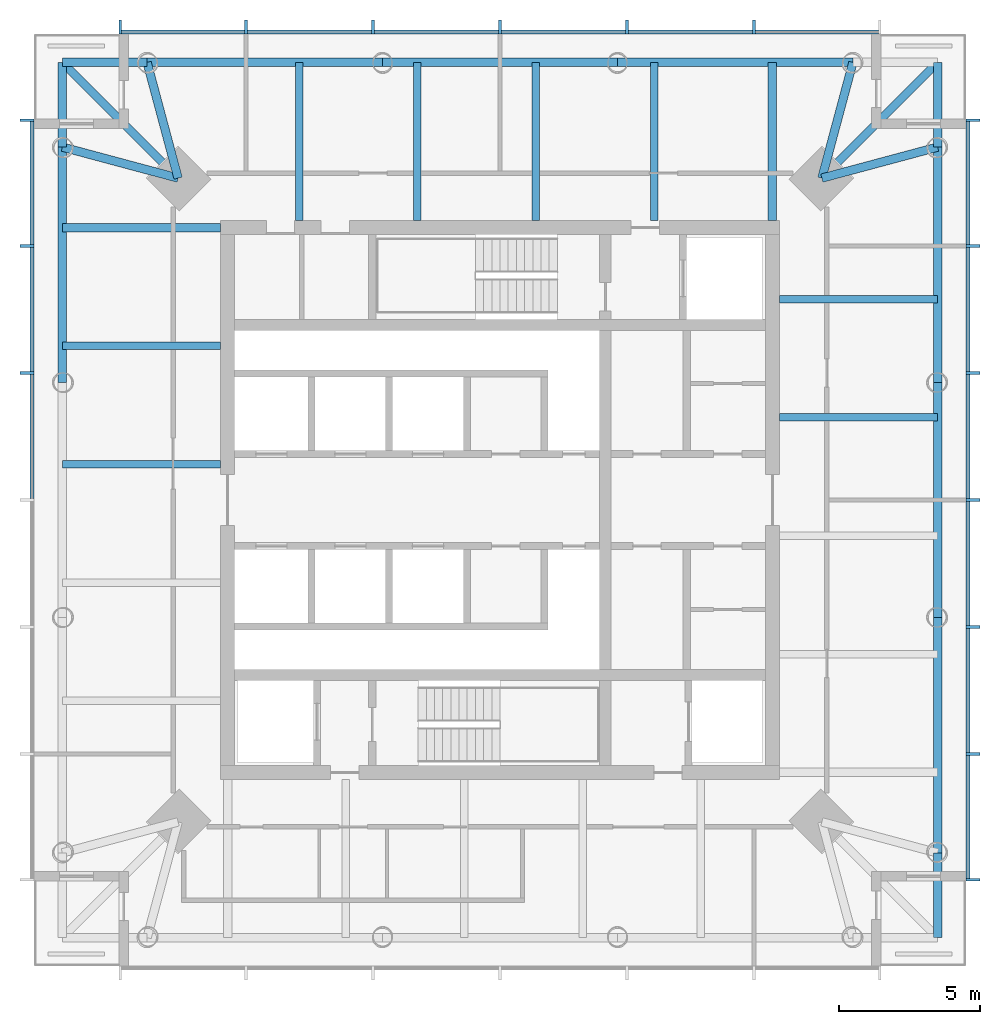
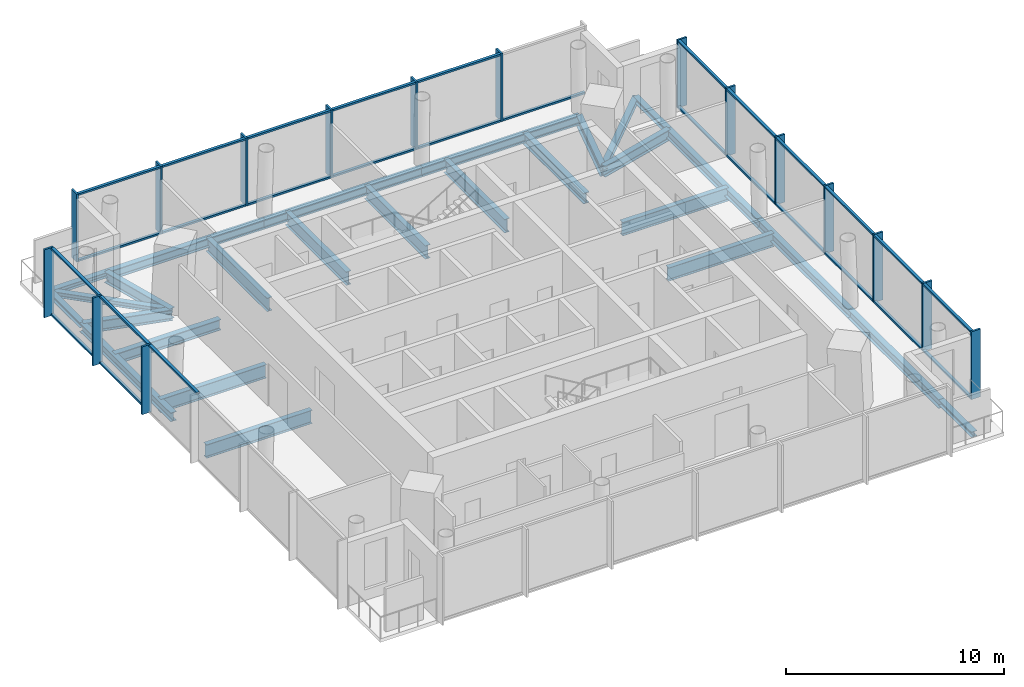
# One storey, part 2 of 7: 44 members, 27 beams, 3 elements without a shape of their own.
"""IFC4 building model written with IfcOpenShell, lengths in metres."""

from ifc_helpers import new_model, si_unit, direction, frame, origin, origin_2d, place, context, subcontext, project, spatial, rectangle, i_section, extrude, material, material_profile, profile_set, type_object, element, aggregate, save


model = new_model("IFC4")

# Units and contexts
model_context = context("Model", 3, precision=1e-05, world=origin(), true_north=direction((0.0, 1.0)))
body_context = subcontext(model_context, "Body", "Model", "MODEL_VIEW")
ifc_project = project(units=[si_unit("LENGTHUNIT", "METRE"), si_unit("AREAUNIT", "SQUARE_METRE"), si_unit("VOLUMEUNIT", "CUBIC_METRE"), si_unit("PLANEANGLEUNIT", "RADIAN"), si_unit("MASSUNIT", "GRAM", prefix="KILO")], contexts=[model_context])

# Site, building, storey
site_placement = place(None, origin())
site = spatial("IfcSite", under=ifc_project, at=site_placement, CompositionType="ELEMENT")
building_placement = place(site_placement, origin())
building = spatial("IfcBuilding", under=site, at=building_placement, Name="Ostroluk Exchange", CompositionType="ELEMENT")
storey_placement = place(building_placement, frame((0.0, 0.0, 287.0)))
storey = spatial("IfcBuildingStorey", under=building, at=storey_placement, Name="L74", CompositionType="ELEMENT", Elevation=287.0)

# Beams
ifc_material_1 = material(Name="Steel S355", Category="steel")
ifc_material_profile_1 = material_profile(ifc_material_1, i_section(OverallWidth=0.300048828125, OverallDepth=0.300048828125, WebThickness=0.010986328125, FlangeThickness=0.01904296875, FilletRadius=0.027099609375, at=origin_2d()), Name="HEB 300")
ifc_profile_set_1 = profile_set([ifc_material_profile_1], Name="Steel S355")
beam_type_1 = type_object("IfcBeamType", Name="Balcony beam HEB 300", PredefinedType="BEAM", material=ifc_profile_set_1)
beam_1_placement = place(storey_placement, frame((60.5, 58.5, -0.35009765625), z_axis=(0.0, 1.0, 0.0), x_axis=(-1.0, 0.0, 0.0)))
element("IfcBeam", 1, at=beam_1_placement, inside=storey, type_object=beam_type_1, Name="T1 east balcony beam a", PredefinedType="BEAM", context=body_context, shape_type="SweptSolid", body=[
    extrude(i_section(OverallWidth=0.300048828125, OverallDepth=0.300048828125, WebThickness=0.010986328125, FlangeThickness=0.01904296875, FilletRadius=0.027099609375, at=origin_2d()), origin(), (0.0, 0.0, 1.0), 3.0),
])
beam_2_placement = place(storey_placement, frame((56.39990234375, 57.39990234375, -0.35009765625), z_axis=(0.707106781187, 0.707106781187, 0.0), x_axis=(-0.707106781187, 0.707106781187, 0.0)))
element("IfcBeam", 2, at=beam_2_placement, inside=storey, type_object=beam_type_1, Name="T1 east balcony beam c", PredefinedType="BEAM", context=body_context, shape_type="SweptSolid", body=[
    extrude(i_section(OverallWidth=0.300048828125, OverallDepth=0.300048828125, WebThickness=0.010986328125, FlangeThickness=0.01904296875, FilletRadius=0.027099609375, at=origin_2d()), origin(), (0.0, 0.0, 1.0), 5.79833984375),
])
for number, where, z_axis, x_axis, name in (
    (3, (32.5, 61.5, -0.35009765625), (-1.0, 0.0, 0.0), (0.0, -1.0, 0.0), "T1 north balcony beam a"),
    (4, (29.5, 58.5, -0.35009765625), (0.0, 1.0, 0.0), (-1.0, 0.0, 0.0), "T1 north balcony beam b"),
):
    element("IfcBeam", number, at=place(storey_placement, frame(where, z_axis=z_axis, x_axis=x_axis)), inside=storey, type_object=beam_type_1, Name=name, PredefinedType="BEAM", context=body_context, shape_type="SweptSolid", body=[
        extrude(i_section(OverallWidth=0.300048828125, OverallDepth=0.300048828125, WebThickness=0.010986328125, FlangeThickness=0.01904296875, FilletRadius=0.027099609375, at=origin_2d()), origin(), (0.0, 0.0, 1.0), 3.0),
    ])
beam_3_placement = place(storey_placement, frame((33.60009765625, 57.39990234375, -0.35009765625), z_axis=(-0.707106781187, 0.707106781187, 0.0), x_axis=(-0.707106781187, -0.707106781187, 0.0)))
element("IfcBeam", 5, at=beam_3_placement, inside=storey, type_object=beam_type_1, Name="T1 north balcony beam c", PredefinedType="BEAM", context=body_context, shape_type="SweptSolid", body=[
    extrude(i_section(OverallWidth=0.300048828125, OverallDepth=0.300048828125, WebThickness=0.010986328125, FlangeThickness=0.01904296875, FilletRadius=0.027099609375, at=origin_2d()), origin(), (0.0, 0.0, 1.0), 5.79833984375),
])
beam_4_placement = place(storey_placement, frame((60.5, 33.5, -0.35009765625), z_axis=(0.0, -1.0, 0.0), x_axis=(1.0, 0.0, 0.0)))
element("IfcBeam", 6, at=beam_4_placement, inside=storey, type_object=beam_type_1, Name="T1 south balcony beam b", PredefinedType="BEAM", context=body_context, shape_type="SweptSolid", body=[
    extrude(i_section(OverallWidth=0.300048828125, OverallDepth=0.300048828125, WebThickness=0.010986328125, FlangeThickness=0.01904296875, FilletRadius=0.027099609375, at=origin_2d()), origin(), (0.0, 0.0, 1.0), 3.0),
])
ifc_material_2 = material(Name="Steel S355", Category="steel")
ifc_material_profile_2 = material_profile(ifc_material_2, i_section(OverallWidth=0.300048828125, OverallDepth=0.60009765625, WebThickness=0.015380859375, FlangeThickness=0.030029296875, FilletRadius=0.027099609375, at=origin_2d()), Name="HEB 600")
ifc_profile_set_2 = profile_set([ifc_material_profile_2], Name="Steel S355")
beam_type_2 = type_object("IfcBeamType", Name="Corner edge beam HEB 600", PredefinedType="SPANDREL", material=ifc_profile_set_2)
for number, where, z_axis, x_axis, name in (
    (7, (56.39990234375, 57.39990234375, -0.5), (0.965838624319, 0.259144268261, 0.0), (-0.259144268261, 0.965838624319, 0.0), "T1 east corner edge beam a"),
    (8, (56.39990234375, 57.39990234375, -0.5), (0.259144268261, 0.965838624319, 0.0), (-0.965838624319, 0.259144268261, 0.0), "T1 east corner edge beam b"),
    (9, (33.60009765625, 57.39990234375, -0.5), (-0.259144268261, 0.965838624319, 0.0), (-0.965838624319, -0.259144268261, 0.0), "T1 north corner edge beam a"),
    (10, (33.60009765625, 57.39990234375, -0.5), (-0.965838624319, 0.259144268261, 0.0), (-0.259144268261, -0.965838624319, 0.0), "T1 north corner edge beam b"),
):
    element("IfcBeam", number, at=place(storey_placement, frame(where, z_axis=z_axis, x_axis=x_axis)), inside=storey, type_object=beam_type_2, Name=name, PredefinedType="SPANDREL", context=body_context, shape_type="SweptSolid", body=[
        extrude(i_section(OverallWidth=0.300048828125, OverallDepth=0.60009765625, WebThickness=0.015380859375, FlangeThickness=0.030029296875, FilletRadius=0.027099609375, at=origin_2d()), origin(), (0.0, 0.0, 1.0), 4.2451171875),
    ])
ifc_material_3 = material(Name="Steel S355", Category="steel")
ifc_material_profile_3 = material_profile(ifc_material_3, i_section(OverallWidth=0.264892578125, OverallDepth=0.7529296875, WebThickness=0.01318359375, FlangeThickness=0.01708984375, FilletRadius=0.01708984375, at=origin_2d()), Name="IPE 750x147")
ifc_profile_set_3 = profile_set([ifc_material_profile_3], Name="Steel S355")
beam_type_3 = type_object("IfcBeamType", Name="Floor beam IPE 750x147", PredefinedType="BEAM", material=ifc_profile_set_3)
for number, where, z_axis, x_axis, name in (
    (11, (54.89990234375, 48.925048828125, -0.576416015625), (1.0, 0.0, 0.0), (0.0, 1.0, 0.0), "T1 east floor beam 3"),
    (12, (54.89990234375, 53.11669921875, -0.576416015625), (1.0, 0.0, 0.0), (0.0, 1.0, 0.0), "T1 east floor beam 4"),
    (13, (50.458251953125, 55.89990234375, -0.576416015625), (0.0, 1.0, 0.0), (-1.0, 0.0, 0.0), "T1 north floor beam 1"),
    (14, (46.2666015625, 55.89990234375, -0.576416015625), (0.0, 1.0, 0.0), (-1.0, 0.0, 0.0), "T1 north floor beam 2"),
    (15, (42.074951171875, 55.89990234375, -0.576416015625), (0.0, 1.0, 0.0), (-1.0, 0.0, 0.0), "T1 north floor beam 3"),
    (16, (37.88330078125, 55.89990234375, -0.576416015625), (0.0, 1.0, 0.0), (-1.0, 0.0, 0.0), "T1 north floor beam 4"),
    (17, (35.10009765625, 51.458251953125, -0.576416015625), (-1.0, 0.0, 0.0), (0.0, -1.0, 0.0), "T1 west floor beam 1"),
    (18, (35.10009765625, 47.2666015625, -0.576416015625), (-1.0, 0.0, 0.0), (0.0, -1.0, 0.0), "T1 west floor beam 2"),
):
    element("IfcBeam", number, at=place(storey_placement, frame(where, z_axis=z_axis, x_axis=x_axis)), inside=storey, type_object=beam_type_3, Name=name, PredefinedType="BEAM", context=body_context, shape_type="SweptSolid", body=[
        extrude(i_section(OverallWidth=0.264892578125, OverallDepth=0.7529296875, WebThickness=0.01318359375, FlangeThickness=0.01708984375, FilletRadius=0.01708984375, at=origin_2d()), origin(), (0.0, 0.0, 1.0), 5.60009765625),
    ])
ifc_material_4 = material(Name="Steel S355", Category="steel")
ifc_material_profile_4 = material_profile(ifc_material_4, i_section(OverallWidth=0.300048828125, OverallDepth=0.60009765625, WebThickness=0.015380859375, FlangeThickness=0.030029296875, FilletRadius=0.027099609375, at=origin_2d()), Name="HEB 600")
ifc_profile_set_4 = profile_set([ifc_material_profile_4], Name="Steel S355")
beam_type_4 = type_object("IfcBeamType", Name="Girder HEB 600", PredefinedType="BEAM", material=ifc_profile_set_4)
for number, where, z_axis, x_axis, name in (
    (19, (54.64990234375, 55.89990234375, -0.5), (0.0, 1.0, 0.0), (-1.0, 0.0, 0.0), "T1 east girder"),
    (20, (35.10009765625, 55.64990234375, -0.5), (-1.0, 0.0, 0.0), (0.0, -1.0, 0.0), "T1 north girder"),
):
    element("IfcBeam", number, at=place(storey_placement, frame(where, z_axis=z_axis, x_axis=x_axis)), inside=storey, type_object=beam_type_4, Name=name, PredefinedType="BEAM", context=body_context, shape_type="SweptSolid", body=[
        extrude(i_section(OverallWidth=0.300048828125, OverallDepth=0.60009765625, WebThickness=0.015380859375, FlangeThickness=0.030029296875, FilletRadius=0.027099609375, at=origin_2d()), origin(), (0.0, 0.0, 1.0), 5.60009765625),
    ])
ifc_material_5 = material(Name="Steel S355", Category="steel")
ifc_material_profile_5 = material_profile(ifc_material_5, i_section(OverallWidth=0.300048828125, OverallDepth=0.5, WebThickness=0.014404296875, FlangeThickness=0.028076171875, FilletRadius=0.027099609375, at=origin_2d()), Name="HEB 500")
ifc_profile_set_5 = profile_set([ifc_material_profile_5], Name="Steel S355")
beam_type_5 = type_object("IfcBeamType", Name="Moment-connected edge beam HEB 500", PredefinedType="SPANDREL", material=ifc_profile_set_5)
beam_5_placement = place(storey_placement, frame((60.5, 33.5, -0.449951171875), z_axis=(0.0, 1.0, 0.0), x_axis=(-1.0, 0.0, 0.0)))
element("IfcBeam", 21, at=beam_5_placement, inside=storey, type_object=beam_type_5, Name="T1 east edge beam 1", PredefinedType="SPANDREL", context=body_context, shape_type="SweptSolid", body=[
    extrude(i_section(OverallWidth=0.300048828125, OverallDepth=0.5, WebThickness=0.014404296875, FlangeThickness=0.028076171875, FilletRadius=0.027099609375, at=origin_2d()), origin(), (0.0, 0.0, 1.0), 8.333251953125),
])
beam_6_placement = place(storey_placement, frame((60.5, 41.833251953125, -0.449951171875), z_axis=(0.0, 1.0, 0.0), x_axis=(-1.0, 0.0, 0.0)))
element("IfcBeam", 22, at=beam_6_placement, inside=storey, type_object=beam_type_5, Name="T1 east edge beam 2", PredefinedType="SPANDREL", context=body_context, shape_type="SweptSolid", body=[
    extrude(i_section(OverallWidth=0.300048828125, OverallDepth=0.5, WebThickness=0.014404296875, FlangeThickness=0.028076171875, FilletRadius=0.027099609375, at=origin_2d()), origin(), (0.0, 0.0, 1.0), 8.33349609375),
])
for number, where, z_axis, x_axis, name in (
    (23, (60.5, 50.166748046875, -0.449951171875), (0.0, 1.0, 0.0), (-1.0, 0.0, 0.0), "T1 east edge beam 3"),
    (24, (57.5, 61.5, -0.449951171875), (-1.0, 0.0, 0.0), (0.0, -1.0, 0.0), "T1 north edge beam 1"),
):
    element("IfcBeam", number, at=place(storey_placement, frame(where, z_axis=z_axis, x_axis=x_axis)), inside=storey, type_object=beam_type_5, Name=name, PredefinedType="SPANDREL", context=body_context, shape_type="SweptSolid", body=[
        extrude(i_section(OverallWidth=0.300048828125, OverallDepth=0.5, WebThickness=0.014404296875, FlangeThickness=0.028076171875, FilletRadius=0.027099609375, at=origin_2d()), origin(), (0.0, 0.0, 1.0), 8.333251953125),
    ])
beam_7_placement = place(storey_placement, frame((49.166748046875, 61.5, -0.449951171875), z_axis=(-1.0, 0.0, 0.0), x_axis=(0.0, -1.0, 0.0)))
element("IfcBeam", 25, at=beam_7_placement, inside=storey, type_object=beam_type_5, Name="T1 north edge beam 2", PredefinedType="SPANDREL", context=body_context, shape_type="SweptSolid", body=[
    extrude(i_section(OverallWidth=0.300048828125, OverallDepth=0.5, WebThickness=0.014404296875, FlangeThickness=0.028076171875, FilletRadius=0.027099609375, at=origin_2d()), origin(), (0.0, 0.0, 1.0), 8.33349609375),
])
for number, where, z_axis, x_axis, name in (
    (26, (40.833251953125, 61.5, -0.449951171875), (-1.0, 0.0, 0.0), (0.0, -1.0, 0.0), "T1 north edge beam 3"),
    (27, (29.5, 58.5, -0.449951171875), (0.0, -1.0, 0.0), (1.0, 0.0, 0.0), "T1 west edge beam 1"),
):
    element("IfcBeam", number, at=place(storey_placement, frame(where, z_axis=z_axis, x_axis=x_axis)), inside=storey, type_object=beam_type_5, Name=name, PredefinedType="SPANDREL", context=body_context, shape_type="SweptSolid", body=[
        extrude(i_section(OverallWidth=0.300048828125, OverallDepth=0.5, WebThickness=0.014404296875, FlangeThickness=0.028076171875, FilletRadius=0.027099609375, at=origin_2d()), origin(), (0.0, 0.0, 1.0), 8.333251953125),
    ])

# Curtain wall, members
ifc_material_6 = material(Name="Laminated clear glass", Category="glass")
curtain_wall_type = type_object("IfcCurtainWallType", Name="Sky garden and observation glazing", PredefinedType="USERDEFINED", material=ifc_material_6)
curtain_wall_1_placement = place(storey_placement, origin())
curtain_wall_1 = element("IfcCurtainWall", 28, at=curtain_wall_1_placement, inside=storey, type_object=curtain_wall_type, Name="Office tower east facade L74", ObjectType="STRUCTURAL GLAZING", PredefinedType="USERDEFINED")
ifc_material_7 = material(Name="Aluminium mullion", Category="aluminium")
ifc_material_profile_6 = material_profile(ifc_material_7, rectangle(XDim=0.14990234375, YDim=0.10009765625, at=origin_2d()), Name="Sill transom 100 x 150")
ifc_profile_set_6 = profile_set([ifc_material_profile_6], Name="Aluminium mullion")
member_type_1 = type_object("IfcMemberType", Name="Sill transom 100 x 150", PredefinedType="USERDEFINED", material=ifc_profile_set_6)
member_1_placement = place(storey_placement, frame((61.574951171875, 32.60009765625, 0.050048828125), z_axis=(0.0, 1.0, 0.0), x_axis=(-1.0, 0.0, 0.0)))
member_1 = element("IfcMember", 29, at=member_1_placement, type_object=member_type_1, Name="CW-S1 transom 1.1", ObjectType="TRANSOM", PredefinedType="USERDEFINED", context=body_context, shape_type="SweptSolid", body=[
    extrude(rectangle(XDim=0.14990234375, YDim=0.10009765625, at=origin_2d()), origin(), (0.0, 0.0, 1.0), 4.349853515625),
])
member_2_placement = place(storey_placement, frame((61.574951171875, 32.60009765625, 3.75), z_axis=(0.0, 1.0, 0.0), x_axis=(-1.0, 0.0, 0.0)))
member_2 = element("IfcMember", 30, at=member_2_placement, type_object=member_type_1, Name="CW-S1 transom 1.2", ObjectType="TRANSOM", PredefinedType="USERDEFINED", context=body_context, shape_type="SweptSolid", body=[
    extrude(rectangle(XDim=0.14990234375, YDim=0.10009765625, at=origin_2d()), origin(), (0.0, 0.0, 1.0), 4.349853515625),
])
member_3_placement = place(storey_placement, frame((61.574951171875, 37.050048828125, 0.050048828125), z_axis=(0.0, 1.0, 0.0), x_axis=(-1.0, 0.0, 0.0)))
member_3 = element("IfcMember", 31, at=member_3_placement, type_object=member_type_1, Name="CW-S1 transom 2.1", ObjectType="TRANSOM", PredefinedType="USERDEFINED", context=body_context, shape_type="SweptSolid", body=[
    extrude(rectangle(XDim=0.14990234375, YDim=0.10009765625, at=origin_2d()), origin(), (0.0, 0.0, 1.0), 4.39990234375),
])
member_4_placement = place(storey_placement, frame((61.574951171875, 37.050048828125, 3.75), z_axis=(0.0, 1.0, 0.0), x_axis=(-1.0, 0.0, 0.0)))
member_4 = element("IfcMember", 32, at=member_4_placement, type_object=member_type_1, Name="CW-S1 transom 2.2", ObjectType="TRANSOM", PredefinedType="USERDEFINED", context=body_context, shape_type="SweptSolid", body=[
    extrude(rectangle(XDim=0.14990234375, YDim=0.10009765625, at=origin_2d()), origin(), (0.0, 0.0, 1.0), 4.39990234375),
])
member_5_placement = place(storey_placement, frame((61.574951171875, 41.550048828125, 0.050048828125), z_axis=(0.0, 1.0, 0.0), x_axis=(-1.0, 0.0, 0.0)))
member_5 = element("IfcMember", 33, at=member_5_placement, type_object=member_type_1, Name="CW-S1 transom 3.1", ObjectType="TRANSOM", PredefinedType="USERDEFINED", context=body_context, shape_type="SweptSolid", body=[
    extrude(rectangle(XDim=0.14990234375, YDim=0.10009765625, at=origin_2d()), origin(), (0.0, 0.0, 1.0), 4.39990234375),
])
member_6_placement = place(storey_placement, frame((61.574951171875, 41.550048828125, 3.75), z_axis=(0.0, 1.0, 0.0), x_axis=(-1.0, 0.0, 0.0)))
member_6 = element("IfcMember", 34, at=member_6_placement, type_object=member_type_1, Name="CW-S1 transom 3.2", ObjectType="TRANSOM", PredefinedType="USERDEFINED", context=body_context, shape_type="SweptSolid", body=[
    extrude(rectangle(XDim=0.14990234375, YDim=0.10009765625, at=origin_2d()), origin(), (0.0, 0.0, 1.0), 4.39990234375),
])
member_7_placement = place(storey_placement, frame((61.574951171875, 46.050048828125, 0.050048828125), z_axis=(0.0, 1.0, 0.0), x_axis=(-1.0, 0.0, 0.0)))
member_7 = element("IfcMember", 35, at=member_7_placement, type_object=member_type_1, Name="CW-S1 transom 4.1", ObjectType="TRANSOM", PredefinedType="USERDEFINED", context=body_context, shape_type="SweptSolid", body=[
    extrude(rectangle(XDim=0.14990234375, YDim=0.10009765625, at=origin_2d()), origin(), (0.0, 0.0, 1.0), 4.39990234375),
])
member_8_placement = place(storey_placement, frame((61.574951171875, 46.050048828125, 3.75), z_axis=(0.0, 1.0, 0.0), x_axis=(-1.0, 0.0, 0.0)))
member_8 = element("IfcMember", 36, at=member_8_placement, type_object=member_type_1, Name="CW-S1 transom 4.2", ObjectType="TRANSOM", PredefinedType="USERDEFINED", context=body_context, shape_type="SweptSolid", body=[
    extrude(rectangle(XDim=0.14990234375, YDim=0.10009765625, at=origin_2d()), origin(), (0.0, 0.0, 1.0), 4.39990234375),
])
member_9_placement = place(storey_placement, frame((61.574951171875, 50.550048828125, 0.050048828125), z_axis=(0.0, 1.0, 0.0), x_axis=(-1.0, 0.0, 0.0)))
member_9 = element("IfcMember", 37, at=member_9_placement, type_object=member_type_1, Name="CW-S1 transom 5.1", ObjectType="TRANSOM", PredefinedType="USERDEFINED", context=body_context, shape_type="SweptSolid", body=[
    extrude(rectangle(XDim=0.14990234375, YDim=0.10009765625, at=origin_2d()), origin(), (0.0, 0.0, 1.0), 4.39990234375),
])
member_10_placement = place(storey_placement, frame((61.574951171875, 50.550048828125, 3.75), z_axis=(0.0, 1.0, 0.0), x_axis=(-1.0, 0.0, 0.0)))
member_10 = element("IfcMember", 38, at=member_10_placement, type_object=member_type_1, Name="CW-S1 transom 5.2", ObjectType="TRANSOM", PredefinedType="USERDEFINED", context=body_context, shape_type="SweptSolid", body=[
    extrude(rectangle(XDim=0.14990234375, YDim=0.10009765625, at=origin_2d()), origin(), (0.0, 0.0, 1.0), 4.39990234375),
])
member_11_placement = place(storey_placement, frame((61.574951171875, 55.050048828125, 0.050048828125), z_axis=(0.0, 1.0, 0.0), x_axis=(-1.0, 0.0, 0.0)))
member_11 = element("IfcMember", 39, at=member_11_placement, type_object=member_type_1, Name="CW-S1 transom 6.1", ObjectType="TRANSOM", PredefinedType="USERDEFINED", context=body_context, shape_type="SweptSolid", body=[
    extrude(rectangle(XDim=0.14990234375, YDim=0.10009765625, at=origin_2d()), origin(), (0.0, 0.0, 1.0), 4.349853515625),
])
member_12_placement = place(storey_placement, frame((61.574951171875, 55.050048828125, 3.75), z_axis=(0.0, 1.0, 0.0), x_axis=(-1.0, 0.0, 0.0)))
member_12 = element("IfcMember", 40, at=member_12_placement, type_object=member_type_1, Name="CW-S1 transom 6.2", ObjectType="TRANSOM", PredefinedType="USERDEFINED", context=body_context, shape_type="SweptSolid", body=[
    extrude(rectangle(XDim=0.14990234375, YDim=0.10009765625, at=origin_2d()), origin(), (0.0, 0.0, 1.0), 4.349853515625),
])

curtain_wall_2_placement = place(storey_placement, origin())
curtain_wall_2 = element("IfcCurtainWall", 41, at=curtain_wall_2_placement, inside=storey, type_object=curtain_wall_type, Name="Office tower north facade L74", ObjectType="STRUCTURAL GLAZING", PredefinedType="USERDEFINED")
member_13_placement = place(storey_placement, frame((58.39990234375, 62.574951171875, 0.050048828125), z_axis=(-1.0, 0.0, 0.0), x_axis=(0.0, -1.0, 0.0)))
member_13 = element("IfcMember", 42, at=member_13_placement, type_object=member_type_1, Name="CW-S1 transom 1.1", ObjectType="TRANSOM", PredefinedType="USERDEFINED", context=body_context, shape_type="SweptSolid", body=[
    extrude(rectangle(XDim=0.14990234375, YDim=0.10009765625, at=origin_2d()), origin(), (0.0, 0.0, 1.0), 4.349853515625),
])
member_14_placement = place(storey_placement, frame((53.949951171875, 62.574951171875, 0.050048828125), z_axis=(-1.0, 0.0, 0.0), x_axis=(0.0, -1.0, 0.0)))
member_14 = element("IfcMember", 43, at=member_14_placement, type_object=member_type_1, Name="CW-S1 transom 2.1", ObjectType="TRANSOM", PredefinedType="USERDEFINED", context=body_context, shape_type="SweptSolid", body=[
    extrude(rectangle(XDim=0.14990234375, YDim=0.10009765625, at=origin_2d()), origin(), (0.0, 0.0, 1.0), 4.39990234375),
])
member_15_placement = place(storey_placement, frame((53.949951171875, 62.574951171875, 3.75), z_axis=(-1.0, 0.0, 0.0), x_axis=(0.0, -1.0, 0.0)))
member_15 = element("IfcMember", 44, at=member_15_placement, type_object=member_type_1, Name="CW-S1 transom 2.2", ObjectType="TRANSOM", PredefinedType="USERDEFINED", context=body_context, shape_type="SweptSolid", body=[
    extrude(rectangle(XDim=0.14990234375, YDim=0.10009765625, at=origin_2d()), origin(), (0.0, 0.0, 1.0), 4.39990234375),
])
member_16_placement = place(storey_placement, frame((49.449951171875, 62.574951171875, 0.050048828125), z_axis=(-1.0, 0.0, 0.0), x_axis=(0.0, -1.0, 0.0)))
member_16 = element("IfcMember", 45, at=member_16_placement, type_object=member_type_1, Name="CW-S1 transom 3.1", ObjectType="TRANSOM", PredefinedType="USERDEFINED", context=body_context, shape_type="SweptSolid", body=[
    extrude(rectangle(XDim=0.14990234375, YDim=0.10009765625, at=origin_2d()), origin(), (0.0, 0.0, 1.0), 4.39990234375),
])
member_17_placement = place(storey_placement, frame((49.449951171875, 62.574951171875, 3.75), z_axis=(-1.0, 0.0, 0.0), x_axis=(0.0, -1.0, 0.0)))
member_17 = element("IfcMember", 46, at=member_17_placement, type_object=member_type_1, Name="CW-S1 transom 3.2", ObjectType="TRANSOM", PredefinedType="USERDEFINED", context=body_context, shape_type="SweptSolid", body=[
    extrude(rectangle(XDim=0.14990234375, YDim=0.10009765625, at=origin_2d()), origin(), (0.0, 0.0, 1.0), 4.39990234375),
])
member_18_placement = place(storey_placement, frame((44.949951171875, 62.574951171875, 0.050048828125), z_axis=(-1.0, 0.0, 0.0), x_axis=(0.0, -1.0, 0.0)))
member_18 = element("IfcMember", 47, at=member_18_placement, type_object=member_type_1, Name="CW-S1 transom 4.1", ObjectType="TRANSOM", PredefinedType="USERDEFINED", context=body_context, shape_type="SweptSolid", body=[
    extrude(rectangle(XDim=0.14990234375, YDim=0.10009765625, at=origin_2d()), origin(), (0.0, 0.0, 1.0), 4.39990234375),
])
member_19_placement = place(storey_placement, frame((44.949951171875, 62.574951171875, 3.75), z_axis=(-1.0, 0.0, 0.0), x_axis=(0.0, -1.0, 0.0)))
member_19 = element("IfcMember", 48, at=member_19_placement, type_object=member_type_1, Name="CW-S1 transom 4.2", ObjectType="TRANSOM", PredefinedType="USERDEFINED", context=body_context, shape_type="SweptSolid", body=[
    extrude(rectangle(XDim=0.14990234375, YDim=0.10009765625, at=origin_2d()), origin(), (0.0, 0.0, 1.0), 4.39990234375),
])
member_20_placement = place(storey_placement, frame((40.449951171875, 62.574951171875, 0.050048828125), z_axis=(-1.0, 0.0, 0.0), x_axis=(0.0, -1.0, 0.0)))
member_20 = element("IfcMember", 49, at=member_20_placement, type_object=member_type_1, Name="CW-S1 transom 5.1", ObjectType="TRANSOM", PredefinedType="USERDEFINED", context=body_context, shape_type="SweptSolid", body=[
    extrude(rectangle(XDim=0.14990234375, YDim=0.10009765625, at=origin_2d()), origin(), (0.0, 0.0, 1.0), 4.39990234375),
])
member_21_placement = place(storey_placement, frame((40.449951171875, 62.574951171875, 3.75), z_axis=(-1.0, 0.0, 0.0), x_axis=(0.0, -1.0, 0.0)))
member_21 = element("IfcMember", 50, at=member_21_placement, type_object=member_type_1, Name="CW-S1 transom 5.2", ObjectType="TRANSOM", PredefinedType="USERDEFINED", context=body_context, shape_type="SweptSolid", body=[
    extrude(rectangle(XDim=0.14990234375, YDim=0.10009765625, at=origin_2d()), origin(), (0.0, 0.0, 1.0), 4.39990234375),
])
member_22_placement = place(storey_placement, frame((35.949951171875, 62.574951171875, 0.050048828125), z_axis=(-1.0, 0.0, 0.0), x_axis=(0.0, -1.0, 0.0)))
member_22 = element("IfcMember", 51, at=member_22_placement, type_object=member_type_1, Name="CW-S1 transom 6.1", ObjectType="TRANSOM", PredefinedType="USERDEFINED", context=body_context, shape_type="SweptSolid", body=[
    extrude(rectangle(XDim=0.14990234375, YDim=0.10009765625, at=origin_2d()), origin(), (0.0, 0.0, 1.0), 4.349853515625),
])
member_23_placement = place(storey_placement, frame((35.949951171875, 62.574951171875, 3.75), z_axis=(-1.0, 0.0, 0.0), x_axis=(0.0, -1.0, 0.0)))
member_23 = element("IfcMember", 52, at=member_23_placement, type_object=member_type_1, Name="CW-S1 transom 6.2", ObjectType="TRANSOM", PredefinedType="USERDEFINED", context=body_context, shape_type="SweptSolid", body=[
    extrude(rectangle(XDim=0.14990234375, YDim=0.10009765625, at=origin_2d()), origin(), (0.0, 0.0, 1.0), 4.349853515625),
])

curtain_wall_3_placement = place(storey_placement, origin())
curtain_wall_3 = element("IfcCurtainWall", 53, at=curtain_wall_3_placement, inside=storey, type_object=curtain_wall_type, Name="Office tower west facade L74", ObjectType="STRUCTURAL GLAZING", PredefinedType="USERDEFINED")
member_24_placement = place(storey_placement, frame((28.425048828125, 59.39990234375, 0.050048828125), z_axis=(0.0, -1.0, 0.0), x_axis=(1.0, 0.0, 0.0)))
member_24 = element("IfcMember", 54, at=member_24_placement, type_object=member_type_1, Name="CW-S1 transom 1.1", ObjectType="TRANSOM", PredefinedType="USERDEFINED", context=body_context, shape_type="SweptSolid", body=[
    extrude(rectangle(XDim=0.14990234375, YDim=0.10009765625, at=origin_2d()), origin(), (0.0, 0.0, 1.0), 4.349853515625),
])
member_25_placement = place(storey_placement, frame((28.425048828125, 59.39990234375, 3.75), z_axis=(0.0, -1.0, 0.0), x_axis=(1.0, 0.0, 0.0)))
member_25 = element("IfcMember", 55, at=member_25_placement, type_object=member_type_1, Name="CW-S1 transom 1.2", ObjectType="TRANSOM", PredefinedType="USERDEFINED", context=body_context, shape_type="SweptSolid", body=[
    extrude(rectangle(XDim=0.14990234375, YDim=0.10009765625, at=origin_2d()), origin(), (0.0, 0.0, 1.0), 4.349853515625),
])
member_26_placement = place(storey_placement, frame((28.425048828125, 54.949951171875, 0.050048828125), z_axis=(0.0, -1.0, 0.0), x_axis=(1.0, 0.0, 0.0)))
member_26 = element("IfcMember", 56, at=member_26_placement, type_object=member_type_1, Name="CW-S1 transom 2.1", ObjectType="TRANSOM", PredefinedType="USERDEFINED", context=body_context, shape_type="SweptSolid", body=[
    extrude(rectangle(XDim=0.14990234375, YDim=0.10009765625, at=origin_2d()), origin(), (0.0, 0.0, 1.0), 4.39990234375),
])
member_27_placement = place(storey_placement, frame((28.425048828125, 54.949951171875, 3.75), z_axis=(0.0, -1.0, 0.0), x_axis=(1.0, 0.0, 0.0)))
member_27 = element("IfcMember", 57, at=member_27_placement, type_object=member_type_1, Name="CW-S1 transom 2.2", ObjectType="TRANSOM", PredefinedType="USERDEFINED", context=body_context, shape_type="SweptSolid", body=[
    extrude(rectangle(XDim=0.14990234375, YDim=0.10009765625, at=origin_2d()), origin(), (0.0, 0.0, 1.0), 4.39990234375),
])
member_28_placement = place(storey_placement, frame((28.425048828125, 50.449951171875, 3.75), z_axis=(0.0, -1.0, 0.0), x_axis=(1.0, 0.0, 0.0)))
member_28 = element("IfcMember", 58, at=member_28_placement, type_object=member_type_1, Name="CW-S1 transom 3.2", ObjectType="TRANSOM", PredefinedType="USERDEFINED", context=body_context, shape_type="SweptSolid", body=[
    extrude(rectangle(XDim=0.14990234375, YDim=0.10009765625, at=origin_2d()), origin(), (0.0, 0.0, 1.0), 4.39990234375),
])

# Member
ifc_material_8 = material(Name="Aluminium mullion with limestone facing", Category="masonry")
ifc_material_profile_7 = material_profile(ifc_material_8, rectangle(XDim=0.5, YDim=0.10009765625, at=origin_2d()), Name="Tracery mullion 100 x 500")
ifc_profile_set_7 = profile_set([ifc_material_profile_7], Name="Aluminium mullion with limestone facing")
member_type_2 = type_object("IfcMemberType", Name="Tracery mullion 100 x 500", PredefinedType="MULLION", material=ifc_profile_set_7)
member_29_placement = place(storey_placement, frame((61.75, 32.550048828125, 0.0), z_axis=(0.0, 0.0, 1.0), x_axis=(-1.0, 0.0, 0.0)))
member_29 = element("IfcMember", 59, at=member_29_placement, type_object=member_type_2, Name="CW-S1 mullion 1", PredefinedType="MULLION", context=body_context, shape_type="SweptSolid", body=[
    extrude(rectangle(XDim=0.5, YDim=0.10009765625, at=origin_2d()), origin(), (0.0, 0.0, 1.0), 3.800048828125),
])

member_30_placement = place(storey_placement, frame((61.75, 37.0, 0.0), z_axis=(0.0, 0.0, 1.0), x_axis=(-1.0, 0.0, 0.0)))
member_30 = element("IfcMember", 60, at=member_30_placement, type_object=member_type_2, Name="CW-S1 mullion 2", PredefinedType="MULLION", context=body_context, shape_type="SweptSolid", body=[
    extrude(rectangle(XDim=0.5, YDim=0.10009765625, at=origin_2d()), origin(), (0.0, 0.0, 1.0), 3.800048828125),
])

member_31_placement = place(storey_placement, frame((61.75, 41.5, 0.0), z_axis=(0.0, 0.0, 1.0), x_axis=(-1.0, 0.0, 0.0)))
member_31 = element("IfcMember", 61, at=member_31_placement, type_object=member_type_2, Name="CW-S1 mullion 3", PredefinedType="MULLION", context=body_context, shape_type="SweptSolid", body=[
    extrude(rectangle(XDim=0.5, YDim=0.10009765625, at=origin_2d()), origin(), (0.0, 0.0, 1.0), 3.800048828125),
])

member_32_placement = place(storey_placement, frame((61.75, 46.0, 0.0), z_axis=(0.0, 0.0, 1.0), x_axis=(-1.0, 0.0, 0.0)))
member_32 = element("IfcMember", 62, at=member_32_placement, type_object=member_type_2, Name="CW-S1 mullion 4", PredefinedType="MULLION", context=body_context, shape_type="SweptSolid", body=[
    extrude(rectangle(XDim=0.5, YDim=0.10009765625, at=origin_2d()), origin(), (0.0, 0.0, 1.0), 3.800048828125),
])

member_33_placement = place(storey_placement, frame((61.75, 50.5, 0.0), z_axis=(0.0, 0.0, 1.0), x_axis=(-1.0, 0.0, 0.0)))
member_33 = element("IfcMember", 63, at=member_33_placement, type_object=member_type_2, Name="CW-S1 mullion 5", PredefinedType="MULLION", context=body_context, shape_type="SweptSolid", body=[
    extrude(rectangle(XDim=0.5, YDim=0.10009765625, at=origin_2d()), origin(), (0.0, 0.0, 1.0), 3.800048828125),
])

member_34_placement = place(storey_placement, frame((61.75, 55.0, 0.0), z_axis=(0.0, 0.0, 1.0), x_axis=(-1.0, 0.0, 0.0)))
member_34 = element("IfcMember", 64, at=member_34_placement, type_object=member_type_2, Name="CW-S1 mullion 6", PredefinedType="MULLION", context=body_context, shape_type="SweptSolid", body=[
    extrude(rectangle(XDim=0.5, YDim=0.10009765625, at=origin_2d()), origin(), (0.0, 0.0, 1.0), 3.800048828125),
])

member_35_placement = place(storey_placement, frame((61.75, 59.449951171875, 0.0), z_axis=(0.0, 0.0, 1.0), x_axis=(-1.0, 0.0, 0.0)))
member_35 = element("IfcMember", 65, at=member_35_placement, type_object=member_type_2, Name="CW-S1 mullion 7", PredefinedType="MULLION", context=body_context, shape_type="SweptSolid", body=[
    extrude(rectangle(XDim=0.5, YDim=0.10009765625, at=origin_2d()), origin(), (0.0, 0.0, 1.0), 3.800048828125),
])

aggregate(curtain_wall_1, [member_29, member_30, member_31, member_32, member_33, member_34, member_35, member_1, member_2, member_3, member_4, member_5, member_6, member_7, member_8, member_9, member_10, member_11, member_12])

member_36_placement = place(storey_placement, frame((54.0, 62.75, 0.0), z_axis=(0.0, 0.0, 1.0), x_axis=(0.0, -1.0, 0.0)))
member_36 = element("IfcMember", 66, at=member_36_placement, type_object=member_type_2, Name="CW-S1 mullion 2", PredefinedType="MULLION", context=body_context, shape_type="SweptSolid", body=[
    extrude(rectangle(XDim=0.5, YDim=0.10009765625, at=origin_2d()), origin(), (0.0, 0.0, 1.0), 3.800048828125),
])

member_37_placement = place(storey_placement, frame((49.5, 62.75, 0.0), z_axis=(0.0, 0.0, 1.0), x_axis=(0.0, -1.0, 0.0)))
member_37 = element("IfcMember", 67, at=member_37_placement, type_object=member_type_2, Name="CW-S1 mullion 3", PredefinedType="MULLION", context=body_context, shape_type="SweptSolid", body=[
    extrude(rectangle(XDim=0.5, YDim=0.10009765625, at=origin_2d()), origin(), (0.0, 0.0, 1.0), 3.800048828125),
])

member_38_placement = place(storey_placement, frame((45.0, 62.75, 0.0), z_axis=(0.0, 0.0, 1.0), x_axis=(0.0, -1.0, 0.0)))
member_38 = element("IfcMember", 68, at=member_38_placement, type_object=member_type_2, Name="CW-S1 mullion 4", PredefinedType="MULLION", context=body_context, shape_type="SweptSolid", body=[
    extrude(rectangle(XDim=0.5, YDim=0.10009765625, at=origin_2d()), origin(), (0.0, 0.0, 1.0), 3.800048828125),
])

member_39_placement = place(storey_placement, frame((40.5, 62.75, 0.0), z_axis=(0.0, 0.0, 1.0), x_axis=(0.0, -1.0, 0.0)))
member_39 = element("IfcMember", 69, at=member_39_placement, type_object=member_type_2, Name="CW-S1 mullion 5", PredefinedType="MULLION", context=body_context, shape_type="SweptSolid", body=[
    extrude(rectangle(XDim=0.5, YDim=0.10009765625, at=origin_2d()), origin(), (0.0, 0.0, 1.0), 3.800048828125),
])

member_40_placement = place(storey_placement, frame((36.0, 62.75, 0.0), z_axis=(0.0, 0.0, 1.0), x_axis=(0.0, -1.0, 0.0)))
member_40 = element("IfcMember", 70, at=member_40_placement, type_object=member_type_2, Name="CW-S1 mullion 6", PredefinedType="MULLION", context=body_context, shape_type="SweptSolid", body=[
    extrude(rectangle(XDim=0.5, YDim=0.10009765625, at=origin_2d()), origin(), (0.0, 0.0, 1.0), 3.800048828125),
])

member_41_placement = place(storey_placement, frame((31.550048828125, 62.75, 0.0), z_axis=(0.0, 0.0, 1.0), x_axis=(0.0, -1.0, 0.0)))
member_41 = element("IfcMember", 71, at=member_41_placement, type_object=member_type_2, Name="CW-S1 mullion 7", PredefinedType="MULLION", context=body_context, shape_type="SweptSolid", body=[
    extrude(rectangle(XDim=0.5, YDim=0.10009765625, at=origin_2d()), origin(), (0.0, 0.0, 1.0), 3.800048828125),
])

aggregate(curtain_wall_2, [member_36, member_37, member_38, member_39, member_40, member_41, member_13, member_14, member_15, member_16, member_17, member_18, member_19, member_20, member_21, member_22, member_23])

member_42_placement = place(storey_placement, frame((28.25, 59.449951171875, 0.0), z_axis=(0.0, 0.0, 1.0), x_axis=(1.0, 0.0, 0.0)))
member_42 = element("IfcMember", 72, at=member_42_placement, type_object=member_type_2, Name="CW-S1 mullion 1", PredefinedType="MULLION", context=body_context, shape_type="SweptSolid", body=[
    extrude(rectangle(XDim=0.5, YDim=0.10009765625, at=origin_2d()), origin(), (0.0, 0.0, 1.0), 3.800048828125),
])

member_43_placement = place(storey_placement, frame((28.25, 55.0, 0.0), z_axis=(0.0, 0.0, 1.0), x_axis=(1.0, 0.0, 0.0)))
member_43 = element("IfcMember", 73, at=member_43_placement, type_object=member_type_2, Name="CW-S1 mullion 2", PredefinedType="MULLION", context=body_context, shape_type="SweptSolid", body=[
    extrude(rectangle(XDim=0.5, YDim=0.10009765625, at=origin_2d()), origin(), (0.0, 0.0, 1.0), 3.800048828125),
])

member_44_placement = place(storey_placement, frame((28.25, 50.5, 0.0), z_axis=(0.0, 0.0, 1.0), x_axis=(1.0, 0.0, 0.0)))
member_44 = element("IfcMember", 74, at=member_44_placement, type_object=member_type_2, Name="CW-S1 mullion 3", PredefinedType="MULLION", context=body_context, shape_type="SweptSolid", body=[
    extrude(rectangle(XDim=0.5, YDim=0.10009765625, at=origin_2d()), origin(), (0.0, 0.0, 1.0), 3.800048828125),
])

aggregate(curtain_wall_3, [member_42, member_43, member_44, member_24, member_25, member_26, member_27, member_28])

save(model, "model.ifc")
